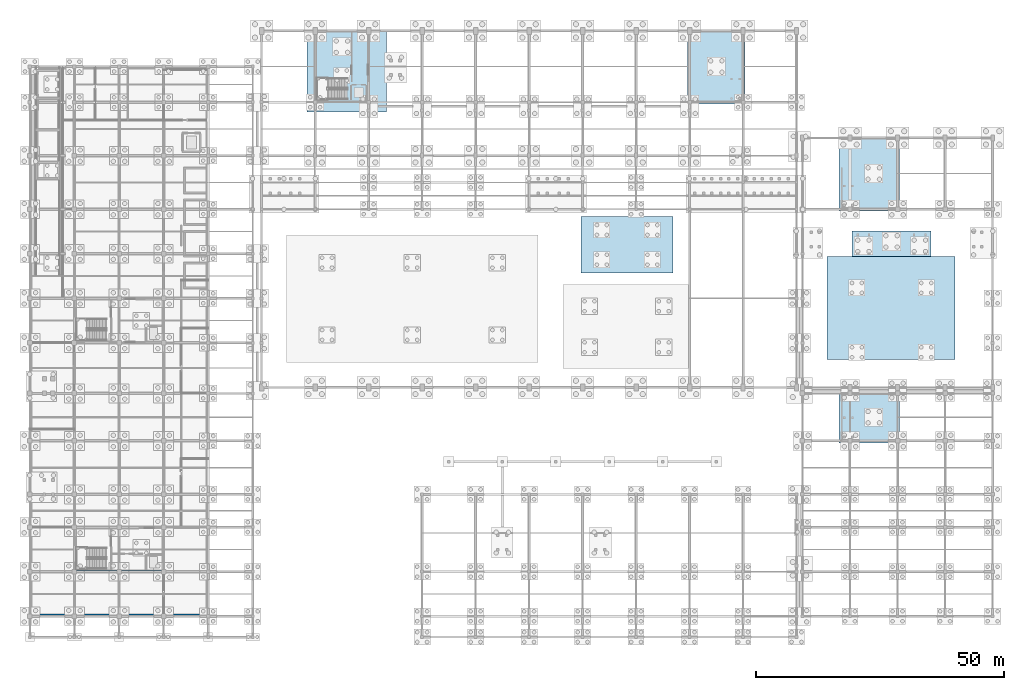
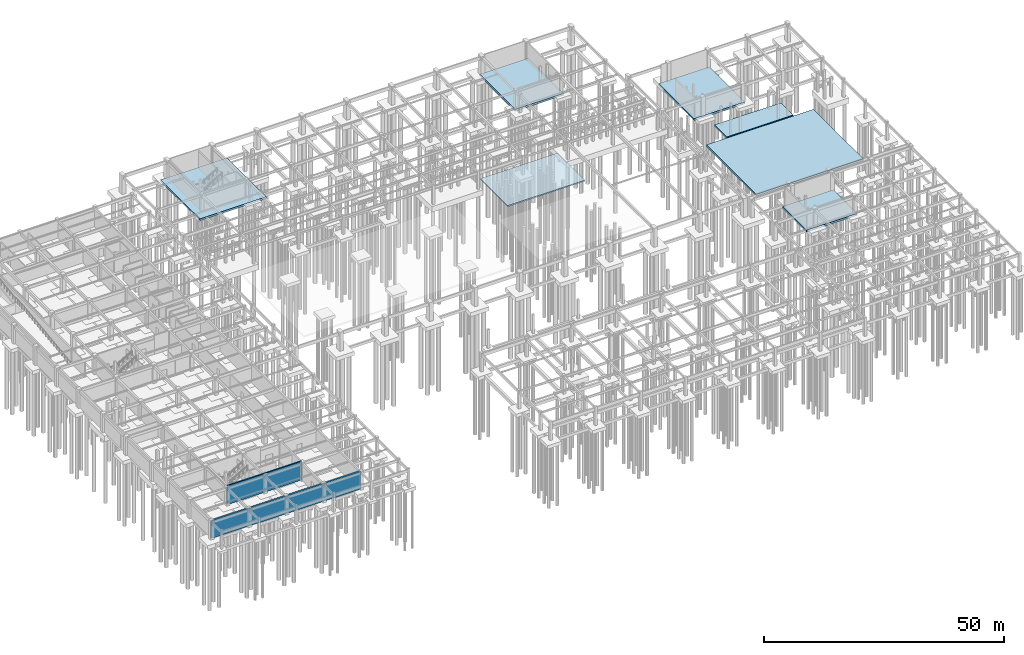
# One storey, part 21 of 33: 7 slabs, 2 walls.
"""IFC4 building model written with IfcOpenShell, lengths in metres."""

from ifc_helpers import new_model, si_unit, direction, frame, frame_2d, origin, place, context, subcontext, project, spatial, polyline, rectangle, outline, extrude, material, layer, layer_set, type_object, element, save


model = new_model("IFC4")

# Units and contexts
model_context = context("Model", 3, precision=1e-05, world=origin(), true_north=direction((0.0, 1.0)))
body_context = subcontext(model_context, "Body", "Model", "MODEL_VIEW")
ifc_project = project(units=[si_unit("LENGTHUNIT", "METRE"), si_unit("AREAUNIT", "SQUARE_METRE"), si_unit("VOLUMEUNIT", "CUBIC_METRE"), si_unit("PLANEANGLEUNIT", "RADIAN"), si_unit("MASSUNIT", "GRAM", prefix="KILO")], contexts=[model_context])

# Site, building, storey
site_placement = place(None, origin())
site = spatial("IfcSite", under=ifc_project, at=site_placement, CompositionType="ELEMENT")
building_placement = place(site_placement, origin())
building = spatial("IfcBuilding", under=site, at=building_placement, Name="Suirenkawa Promenade Aquatics Centre", CompositionType="ELEMENT")
storey_placement = place(building_placement, frame((0.0, 0.0, -4.800048828125)))
storey = spatial("IfcBuildingStorey", under=building, at=storey_placement, Name="B1", CompositionType="ELEMENT", Elevation=-4.800048828125)

# Slabs
ifc_material_1 = material(Name="Waterproof concrete M40", Category="concrete")
ifc_layer_1 = layer(ifc_material_1, 0.449951171875, Name="Waterproof concrete M40", Category="concrete")
ifc_layer_set_1 = layer_set([ifc_layer_1], Name="Waterproof concrete M40")
slab_type_1 = type_object("IfcSlabType", Name="SLT-DIVE-450", PredefinedType="BASESLAB", material=ifc_layer_set_1)
slab_1_placement = place(storey_placement, frame((0.0, 0.0, -0.64990234375)))
element("IfcSlab", 1, at=slab_1_placement, inside=storey, type_object=slab_type_1, Name="25m Diving Well basin slab SL-BASE-02 SL-0010", PredefinedType="BASESLAB", context=body_context, shape_type="SweptSolid", body=[
    extrude(outline(polyline([(161.0, 56.0), (186.800048828125, 56.0), (186.800048828125, 76.800048828125), (161.0, 76.800048828125), (161.0, 56.0)])), origin(), (0.0, 0.0, 1.0), 0.449951171875),
])
ifc_layer_2 = layer(ifc_material_1, 0.320068359375, Name="Waterproof concrete M40", Category="concrete")
ifc_layer_set_2 = layer_set([ifc_layer_2], Name="Waterproof concrete M40")
slab_type_2 = type_object("IfcSlabType", Name="SLT-LEIS-320", PredefinedType="BASESLAB", material=ifc_layer_set_2)
slab_2_placement = place(storey_placement, frame((0.0, 0.0, 3.380126953125)))
element("IfcSlab", 2, at=slab_2_placement, inside=storey, type_object=slab_type_2, Name="Leisure and Teaching Pool basin slab SL-BASE-05 SL-0009", PredefinedType="BASESLAB", context=body_context, shape_type="SweptSolid", body=[
    extrude(outline(polyline([(111.300048828125, 73.5), (129.89990234375, 73.5), (129.89990234375, 84.89990234375), (111.300048828125, 84.89990234375), (111.300048828125, 73.5)])), origin(), (0.0, 0.0, 1.0), 0.31982421875),
])
ifc_layer_3 = layer(ifc_material_1, 0.47998046875, Name="Waterproof concrete M40", Category="concrete")
ifc_layer_set_3 = layer_set([ifc_layer_3], Name="Waterproof concrete M40")
slab_type_3 = type_object("IfcSlabType", Name="SLT-RAFT-480", PredefinedType="BASESLAB", material=ifc_layer_set_3)
slab_3_placement = place(storey_placement, frame((0.0, 0.0, -0.47998046875)))
element("IfcSlab", 3, at=slab_3_placement, inside=storey, type_object=slab_type_3, Name="Core C3 basement pit slab SL-BASE-01 SL-0002", PredefinedType="BASESLAB", context=body_context, shape_type="SweptSolid", body=[
    extrude(outline(polyline([(56.0, 106.0), (72.0, 106.0), (72.0, 122.39990234375), (56.0, 122.39990234375), (56.0, 106.0)])), origin(), (0.0, 0.0, 1.0), 0.47998046875),
])
slab_4_placement = place(storey_placement, frame((0.0, 0.0, -0.47998046875)))
element("IfcSlab", 4, at=slab_4_placement, inside=storey, type_object=slab_type_3, Name="Core C4 foundation raft SL-BASE-01 SL-0003", PredefinedType="BASESLAB", context=body_context, shape_type="SweptSolid", body=[
    extrude(outline(polyline([(132.800048828125, 107.60009765625), (144.39990234375, 107.60009765625), (144.39990234375, 122.39990234375), (132.800048828125, 122.39990234375), (132.800048828125, 107.60009765625)])), origin(), (0.0, 0.0, 1.0), 0.47998046875),
])
slab_5_placement = place(storey_placement, frame((0.0, 0.0, -0.47998046875)))
element("IfcSlab", 5, at=slab_5_placement, inside=storey, type_object=slab_type_3, Name="Core C5 foundation raft SL-BASE-01 SL-0004", PredefinedType="BASESLAB", context=body_context, shape_type="SweptSolid", body=[
    extrude(outline(polyline([(163.39990234375, 86.0), (175.60009765625, 86.0), (175.60009765625, 100.800048828125), (163.39990234375, 100.800048828125), (163.39990234375, 86.0)])), origin(), (0.0, 0.0, 1.0), 0.47998046875),
])
slab_6_placement = place(storey_placement, frame((0.0, 0.0, -0.47998046875)))
element("IfcSlab", 6, at=slab_6_placement, inside=storey, type_object=slab_type_3, Name="Core C6 foundation raft SL-BASE-01 SL-0005", PredefinedType="BASESLAB", context=body_context, shape_type="SweptSolid", body=[
    extrude(outline(polyline([(163.39990234375, 39.199951171875), (175.60009765625, 39.199951171875), (175.60009765625, 49.199951171875), (163.39990234375, 49.199951171875), (163.39990234375, 39.199951171875)])), origin(), (0.0, 0.0, 1.0), 0.47998046875),
])
slab_7_placement = place(storey_placement, frame((0.0, 0.0, -0.47998046875)))
element("IfcSlab", 7, at=slab_7_placement, inside=storey, type_object=slab_type_3, Name="Diving springboard foundation raft SL-BASE-01 SL-0006", PredefinedType="BASESLAB", context=body_context, shape_type="SweptSolid", body=[
    extrude(outline(polyline([(166.0, 76.85009765625), (182.0, 76.85009765625), (182.0, 82.0), (166.0, 82.0), (166.0, 76.85009765625)])), origin(), (0.0, 0.0, 1.0), 0.47998046875),
])

# Walls
ifc_material_2 = material(Name="Concrete M40", Category="concrete")
ifc_layer_4 = layer(ifc_material_2, 0.320068359375, Name="Concrete M40", Category="concrete")
ifc_layer_set_4 = layer_set([ifc_layer_4], Name="Concrete M40")
wall_type_1 = type_object("IfcWallType", Name="WT-CORE-320", PredefinedType="SHEAR", material=ifc_layer_set_4)
wall_1_placement = place(storey_placement, frame((9.0, 13.360107421875, 0.0), z_axis=(0.0, 0.0, 1.0), x_axis=(1.0, 0.0, 0.0)))
element("IfcWall", 8, at=wall_1_placement, inside=storey, type_object=wall_type_1, Name="C1 south core wall WL-CORE-01 W-0049", PredefinedType="SHEAR", context=body_context, shape_type="SweptSolid", body=[
    extrude(rectangle(XDim=18.0, YDim=0.320068359375, at=frame_2d((9.0, 0.0))), origin(), (0.0, 0.0, 1.0), 4.800048828125),
])
ifc_layer_5 = layer(ifc_material_1, 0.449951171875, Name="Waterproof concrete M40", Category="concrete")
ifc_layer_set_5 = layer_set([ifc_layer_5], Name="Waterproof concrete M40")
wall_type_2 = type_object("IfcWallType", Name="WT-RET-450", PredefinedType="USERDEFINED", material=ifc_layer_set_5)
wall_2_placement = place(storey_placement, frame((0.0, 4.425048828125, 0.0), z_axis=(0.0, 0.0, 1.0), x_axis=(1.0, 0.0, 0.0)))
element("IfcWall", 9, at=wall_2_placement, inside=storey, type_object=wall_type_2, Name="Basement retaining wall WL-RET-01 W-0001", ObjectType="RETAININGWALL", PredefinedType="USERDEFINED", context=body_context, shape_type="SweptSolid", body=[
    extrude(rectangle(XDim=36.0, YDim=0.449951171875, at=frame_2d((18.0, 0.0))), origin(), (0.0, 0.0, 1.0), 4.5),
])

save(model, "model.ifc")
